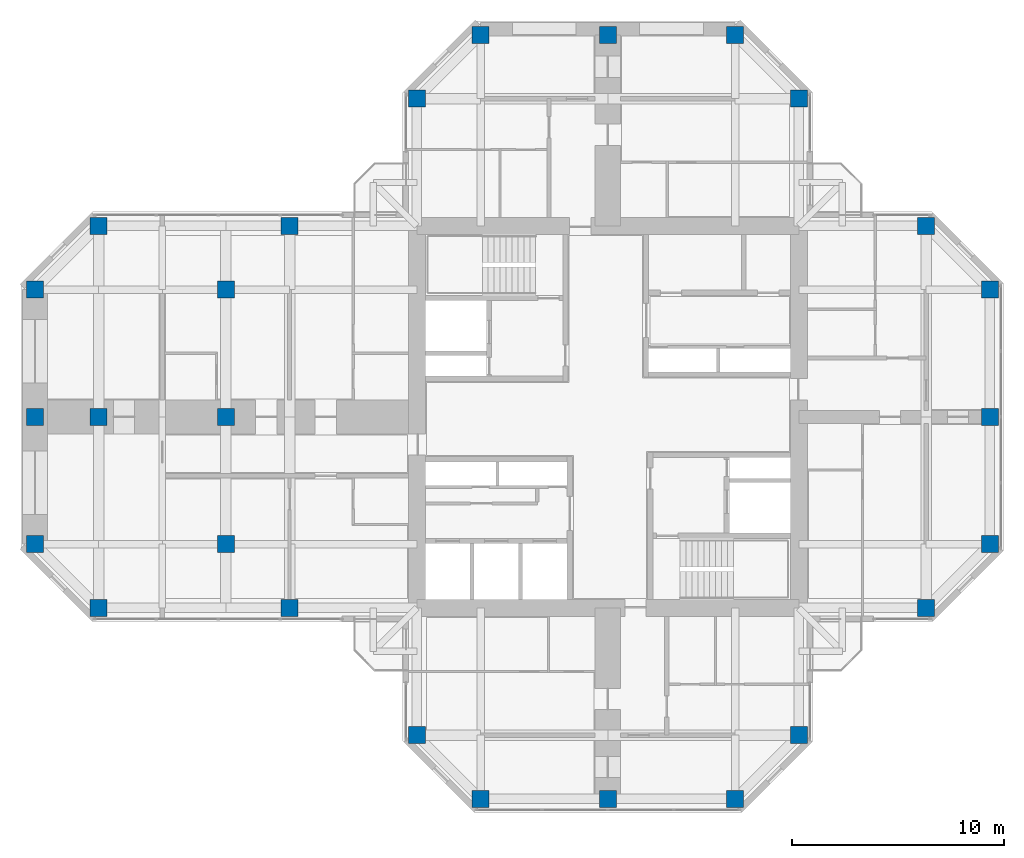
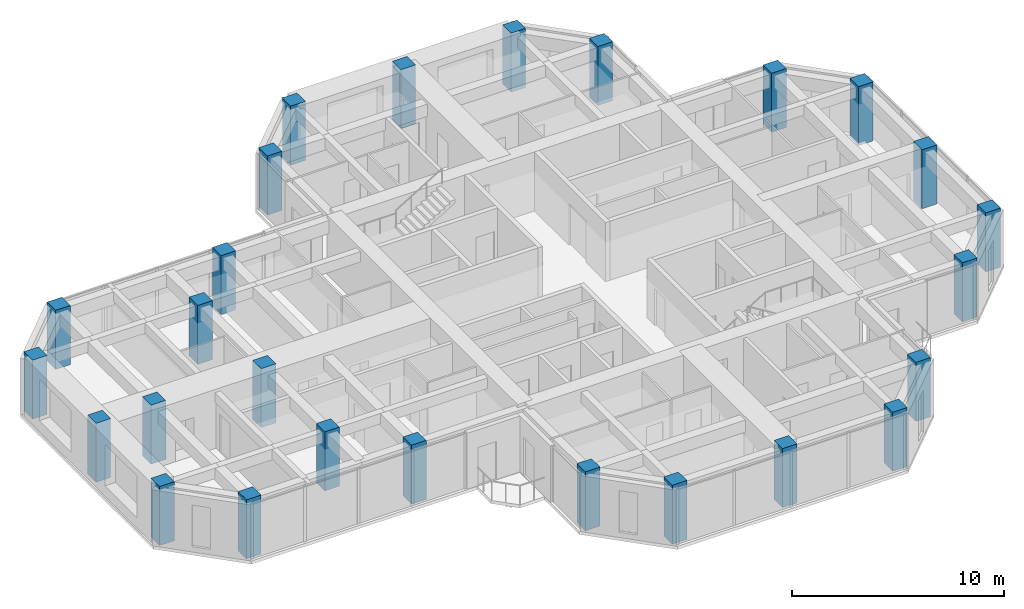
# One storey, part 1 of 13: 26 columns.
"""IFC4 building model written with IfcOpenShell, lengths in metres."""

from ifc_helpers import new_model, si_unit, direction, frame, origin, origin_2d, place, context, subcontext, project, spatial, rectangle, extrude, material, material_profile, profile_set, type_object, element, save


model = new_model("IFC4")

# Units and contexts
model_context = context("Model", 3, precision=1e-05, world=origin(), true_north=direction((0.0, 1.0)))
body_context = subcontext(model_context, "Body", "Model", "MODEL_VIEW")
ifc_project = project(units=[si_unit("LENGTHUNIT", "METRE"), si_unit("AREAUNIT", "SQUARE_METRE"), si_unit("VOLUMEUNIT", "CUBIC_METRE"), si_unit("PLANEANGLEUNIT", "RADIAN"), si_unit("MASSUNIT", "GRAM", prefix="KILO")], contexts=[model_context])

# Site, building, storey
site_placement = place(None, origin())
site = spatial("IfcSite", under=ifc_project, at=site_placement, CompositionType="ELEMENT")
building_placement = place(site_placement, origin())
building = spatial("IfcBuilding", under=site, at=building_placement, Name="Torre Cruceta", CompositionType="ELEMENT")
storey_placement = place(building_placement, frame((0.0, 0.0, 235.699951171875)))
storey = spatial("IfcBuildingStorey", under=building, at=storey_placement, Name="L60", CompositionType="ELEMENT", Elevation=235.699951171875)

# Columns
ifc_material = material(Name="Concrete G60 (fck 60 MPa)", Category="concrete")
ifc_material_profile = material_profile(ifc_material, rectangle(XDim=0.800048828125, YDim=0.800048828125, at=origin_2d()), Name="RC 800X800")
ifc_profile_set = profile_set([ifc_material_profile], Name="Concrete G60 (fck 60 MPa)")
column_type = type_object("IfcColumnType", Name="COLUMN RC 800X800", PredefinedType="COLUMN", material=ifc_profile_set)
for number, where, z_axis, x_axis, name in (
    (1, (9.0, 15.0, 0.0), (0.0, 0.0, 1.0), (1.0, 0.0, 0.0), "C7 L60 N chamfer"),
    (2, (-9.0, 15.0, 0.0), (0.0, 0.0, 1.0), (1.0, 0.0, 0.0), "C7 L60 N chamfer"),
    (3, (6.0, 18.0, 0.0), (0.0, 0.0, 1.0), (1.0, 0.0, 0.0), "C7 L60 N tip"),
    (4, (0.0, 18.0, 0.0), (0.0, 0.0, 1.0), (1.0, 0.0, 0.0), "C7 L60 N tip"),
    (5, (-6.0, 18.0, 0.0), (0.0, 0.0, 1.0), (1.0, 0.0, 0.0), "C7 L60 N tip"),
    (6, (15.0, -9.0, 0.0), (0.0, 0.0, 1.0), (1.0, 0.0, 0.0), "C7 L60 E chamfer"),
    (7, (15.0, 9.0, 0.0), (0.0, 0.0, 1.0), (1.0, 0.0, 0.0), "C7 L60 E chamfer"),
    (8, (18.0, -6.0, 0.0), (0.0, 0.0, 1.0), (1.0, 0.0, 0.0), "C7 L60 E tip"),
    (9, (18.0, 0.0, 0.0), (0.0, 0.0, 1.0), (1.0, 0.0, 0.0), "C7 L60 E tip"),
    (10, (18.0, 6.0, 0.0), (0.0, 0.0, 1.0), (1.0, 0.0, 0.0), "C7 L60 E tip"),
    (11, (-9.0, -15.0, 0.0), (0.0, 0.0, 1.0), (1.0, 0.0, 0.0), "C7 L60 S chamfer"),
    (12, (9.0, -15.0, 0.0), (0.0, 0.0, 1.0), (1.0, 0.0, 0.0), "C7 L60 S chamfer"),
    (13, (-6.0, -18.0, 0.0), (0.0, 0.0, 1.0), (1.0, 0.0, 0.0), "C7 L60 S tip"),
    (14, (0.0, -18.0, 0.0), (0.0, 0.0, 1.0), (1.0, 0.0, 0.0), "C7 L60 S tip"),
    (15, (6.0, -18.0, 0.0), (0.0, 0.0, 1.0), (1.0, 0.0, 0.0), "C7 L60 S tip"),
    (16, (-15.0, 9.0, 0.0), (0.0, 0.0, 1.0), (1.0, 0.0, 0.0), "C7 L60 W side"),
    (17, (-24.0, 9.0, 0.0), (0.0, 0.0, 1.0), (1.0, 0.0, 0.0), "C7 L60 W chamfer"),
    (18, (-15.0, -9.0, 0.0), (0.0, 0.0, 1.0), (1.0, 0.0, 0.0), "C7 L60 W side"),
    (19, (-24.0, -9.0, 0.0), (0.0, 0.0, 1.0), (1.0, 0.0, 0.0), "C7 L60 W chamfer"),
    (20, (-27.0, 6.0, 0.0), (0.0, 0.0, 1.0), (1.0, 0.0, 0.0), "C7 L60 W tip"),
    (21, (-27.0, 0.0, 0.0), (0.0, 0.0, 1.0), (1.0, 0.0, 0.0), "C7 L60 W tip"),
    (22, (-27.0, -6.0, 0.0), (0.0, 0.0, 1.0), (1.0, 0.0, 0.0), "C7 L60 W tip"),
    (23, (-18.0, 6.0, 0.0), (0.0, 0.0, 1.0), (1.0, 0.0, 0.0), "C7 L60 W interior"),
    (24, (-18.0, 0.0, 0.0), (0.0, 0.0, 1.0), (1.0, 0.0, 0.0), "C7 L60 W interior"),
    (25, (-18.0, -6.0, 0.0), (0.0, 0.0, 1.0), (1.0, 0.0, 0.0), "C7 L60 W interior"),
    (26, (-24.0, 0.0, 0.0), (0.0, 0.0, 1.0), (1.0, 0.0, 0.0), "C7 L60 W interior"),
):
    element("IfcColumn", number, at=place(storey_placement, frame(where, z_axis=z_axis, x_axis=x_axis)), inside=storey, type_object=column_type, Name=name, PredefinedType="COLUMN", context=body_context, shape_type="SweptSolid", body=[
        extrude(rectangle(XDim=0.800048828125, YDim=0.800048828125, at=origin_2d()), origin(), (0.0, 0.0, 1.0), 3.400146484375),
    ])

save(model, "model.ifc")
